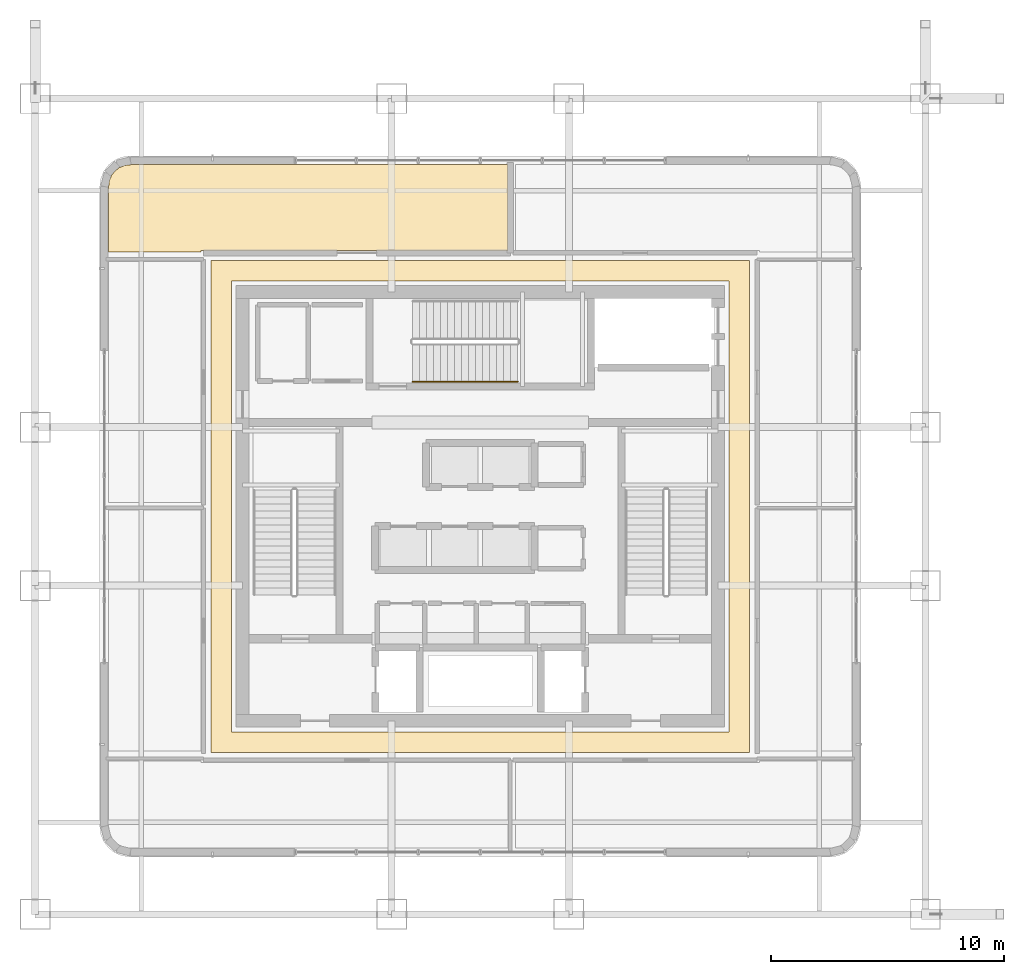
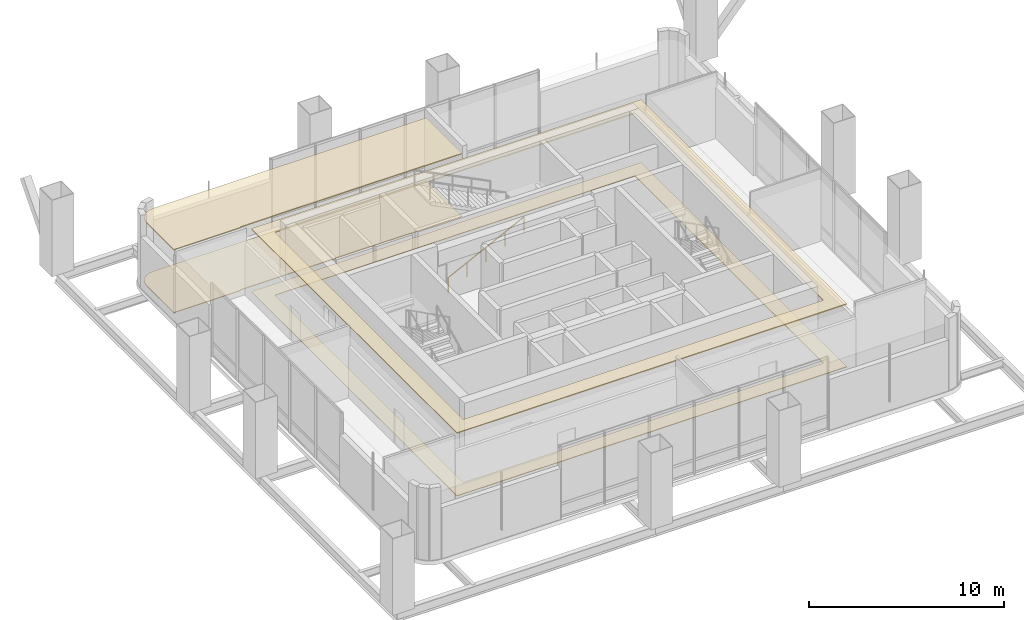
# One storey, part 27 of 33: 4 coverings, 1 railing.
"""IFC4 building model written with IfcOpenShell, lengths in metres."""

from ifc_helpers import new_model, si_unit, direction, frame, origin, origin_2d, place, context, subcontext, project, spatial, polyline, circle, outline, extrude, material, layer, layer_set, type_object, element, save


model = new_model("IFC4")

# Units and contexts
model_context = context("Model", 3, precision=1e-05, world=origin(), true_north=direction((0.0, 1.0)))
body_context = subcontext(model_context, "Body", "Model", "MODEL_VIEW")
ifc_project = project(units=[si_unit("LENGTHUNIT", "METRE"), si_unit("AREAUNIT", "SQUARE_METRE"), si_unit("VOLUMEUNIT", "CUBIC_METRE"), si_unit("PLANEANGLEUNIT", "RADIAN"), si_unit("MASSUNIT", "GRAM", prefix="KILO")], contexts=[model_context])

# Site, building, storey
site_placement = place(None, origin())
site = spatial("IfcSite", under=ifc_project, at=site_placement, CompositionType="ELEMENT")
building_placement = place(site_placement, origin())
building = spatial("IfcBuilding", under=site, at=building_placement, Name="Punatoya Terracotta Tower", CompositionType="ELEMENT")
storey_placement = place(building_placement, frame((0.0, 0.0, 246.60009765625)))
storey = spatial("IfcBuildingStorey", under=building, at=storey_placement, Name="L58", CompositionType="ELEMENT", Elevation=246.60009765625)

# Coverings
ifc_material_1 = material(Name="Acoustic Mineral Fibre Ceiling")
ifc_layer_1 = layer(ifc_material_1, 0.06005859375)
ifc_layer_set_1 = layer_set([ifc_layer_1], Name="Acoustic Mineral Fibre Ceiling")
covering_type_1 = type_object("IfcCoveringType", Name="COV-CEIL-60", PredefinedType="CEILING", material=ifc_layer_set_1)
covering_1_placement = place(storey_placement, frame((0.0, 0.0, 3.929931640625)))
element("IfcCovering", 1, at=covering_1_placement, inside=storey, type_object=covering_type_1, Name="L58 Sky-Lobby Transfer Circulation Corridor Acoustic Ceiling", PredefinedType="CEILING", context=body_context, shape_type="SweptSolid", body=[
    extrude(outline(polyline([(-11.56005859375, 10.56005859375), (-11.56005859375, -10.56005859375), (11.56005859375, -10.56005859375), (11.56005859375, 10.56005859375), (-11.56005859375, 10.56005859375)]), holes=[polyline([(-10.679931640625, 9.679931640625), (10.679931640625, 9.679931640625), (10.679931640625, -9.679931640625), (-10.679931640625, -9.679931640625), (-10.679931640625, 9.679931640625)])]), origin(), (0.0, 0.0, 1.0), 0.06005859375),
])
covering_2_placement = place(storey_placement, frame((0.0, 0.0, 3.929931640625)))
element("IfcCovering", 2, at=covering_2_placement, inside=storey, type_object=covering_type_1, Name="L58 Waterfront Espresso Bistro Acoustic Ceiling", PredefinedType="CEILING", context=body_context, shape_type="SweptSolid", body=[
    extrude(outline(polyline([(-15.949951171875, 13.715087890625), (-15.949951171875, 10.919921875), (-11.97998046875, 10.919921875), (-11.97998046875, 10.97998046875), (1.18603515625, 10.97998046875), (1.18603515625, 14.659912109375), (-15.005126953125, 14.659912109375), (-15.267333984375, 14.62548828125), (-15.48828125, 14.533935546875), (-15.67822265625, 14.38818359375), (-15.823974609375, 14.1982421875), (-15.91552734375, 13.977294921875), (-15.949951171875, 13.715087890625)])), origin(), (0.0, 0.0, 1.0), 0.06005859375),
])
ifc_material_2 = material(Name="Sandstone & Raised Access Flooring", Category="masonry")
ifc_layer_2 = layer(ifc_material_2, 0.080078125)
ifc_layer_set_2 = layer_set([ifc_layer_2], Name="Sandstone & Raised Access Flooring")
covering_type_2 = type_object("IfcCoveringType", Name="COV-FLR-80", PredefinedType="FLOORING", material=ifc_layer_set_2)
covering_3_placement = place(storey_placement, origin())
element("IfcCovering", 3, at=covering_3_placement, inside=storey, type_object=covering_type_2, Name="L58 Sky-Lobby Transfer Circulation Corridor Stone Floor Finish", PredefinedType="FLOORING", context=body_context, shape_type="SweptSolid", body=[
    extrude(outline(polyline([(-11.56005859375, 10.56005859375), (-11.56005859375, -10.56005859375), (11.56005859375, -10.56005859375), (11.56005859375, 10.56005859375), (-11.56005859375, 10.56005859375)]), holes=[polyline([(-10.679931640625, 9.679931640625), (10.679931640625, 9.679931640625), (10.679931640625, -9.679931640625), (-10.679931640625, -9.679931640625), (-10.679931640625, 9.679931640625)])]), origin(), (0.0, 0.0, 1.0), 0.039794921875),
])
covering_4_placement = place(storey_placement, origin())
element("IfcCovering", 4, at=covering_4_placement, inside=storey, type_object=covering_type_2, Name="L58 Waterfront Espresso Bistro Stone Floor Finish", PredefinedType="FLOORING", context=body_context, shape_type="SweptSolid", body=[
    extrude(outline(polyline([(-15.949951171875, 13.715087890625), (-15.949951171875, 10.919921875), (-11.97998046875, 10.919921875), (-11.97998046875, 10.97998046875), (1.18603515625, 10.97998046875), (1.18603515625, 14.659912109375), (-15.005126953125, 14.659912109375), (-15.267333984375, 14.62548828125), (-15.48828125, 14.533935546875), (-15.67822265625, 14.38818359375), (-15.823974609375, 14.1982421875), (-15.91552734375, 13.977294921875), (-15.949951171875, 13.715087890625)])), origin(), (0.0, 0.0, 1.0), 0.039794921875),
])

# Railing
ifc_material_3 = material(Name="Steel S355", Category="steel")
railing_type = type_object("IfcRailingType", Name="RLG-HND-900", PredefinedType="HANDRAIL", material=ifc_material_3)
railing_placement = place(storey_placement, frame((-2.89990234375, 5.35009765625, 0.14990234375)))
element("IfcRailing", 5, at=railing_placement, inside=storey, type_object=railing_type, Name="L58 ST-3 stair handrail 1", PredefinedType="HANDRAIL", context=body_context, shape_type="SweptSolid", body=[
    extrude(circle(Radius=0.02392578125, at=origin_2d()), frame((0.0, 0.0, 0.8759765625), z_axis=(0.894427191, 0.0, 0.4472135955), x_axis=(0.0, 1.0, 0.0)), (0.0, 0.0, 1.0), 5.03125),
    extrude(circle(Radius=0.02099609375, at=origin_2d()), origin(), (0.0, 0.0, 1.0), 0.851806640625),
    extrude(circle(Radius=0.02099609375, at=origin_2d()), frame((1.125, 0.0, 0.5625)), (0.0, 0.0, 1.0), 0.851806640625),
    extrude(circle(Radius=0.02099609375, at=origin_2d()), frame((2.25, 0.0, 1.125)), (0.0, 0.0, 1.0), 0.851806640625),
    extrude(circle(Radius=0.02099609375, at=origin_2d()), frame((3.375, 0.0, 1.6875)), (0.0, 0.0, 1.0), 0.851806640625),
    extrude(circle(Radius=0.02099609375, at=origin_2d()), frame((4.5, 0.0, 2.25)), (0.0, 0.0, 1.0), 0.851806640625),
])

save(model, "model.ifc")
